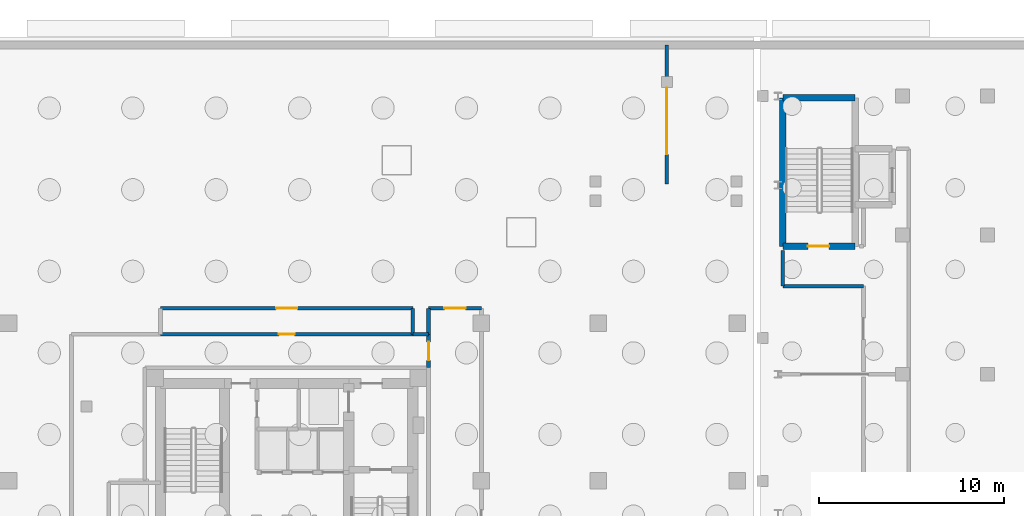
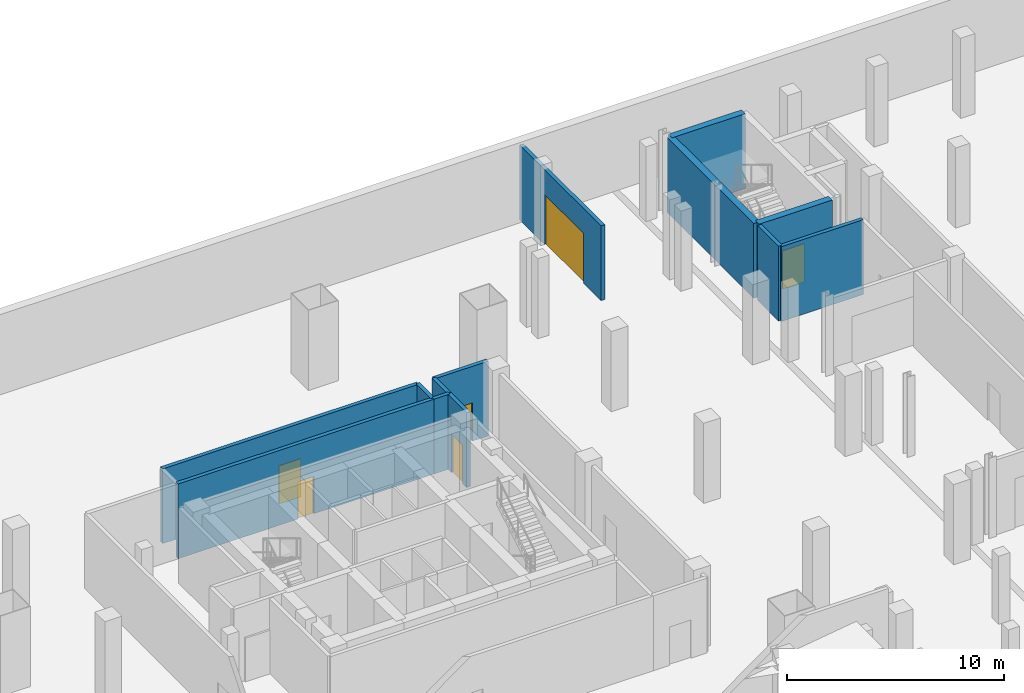
# One storey, part 9 of 15: 13 walls, 6 doors, 6 openings.
"""IFC4 building model written with IfcOpenShell, lengths in metres."""

import ifcopenshell
import ifcopenshell.guid

model = None  # the IFC model being written
_history = None  # IfcOwnerHistory: only IFC2X3 demands one
_inside = {}  # id of a spatial element -> (the spatial element, [elements in it])
_under = {}  # id of a project, library or spatial element -> (it, [spatial elements below it])
_declared = {}  # id of a project -> (the project, [libraries it declares])
_typed = {}  # id of a type object -> (the type object, [elements of that type])
_made_of = {}  # id of a material, layer set ... -> (it, [elements and type objects made of it])


def new_model(schema):
    """Start an empty IFC model of exactly this schema.

    Asked for "IFC4X3", IfcOpenShell would pick the latest addendum, in which some entities
    have other attributes; the version numbers below select the first issue.
    IFC2X3 requires an IfcOwnerHistory on every rooted entity: one is made here for all.
    """
    global model, _history
    if schema == "IFC4X3":
        model = ifcopenshell.file(schema_version=(4, 3, 0, 0))
    else:
        model = ifcopenshell.file(schema=schema)
    _inside.clear()
    _under.clear()
    _declared.clear()
    _typed.clear()
    _made_of.clear()
    _history = None
    if model.schema == "IFC2X3":
        org = make("IfcOrganization", Name="unknown")
        user = make(
            "IfcPersonAndOrganization",
            ThePerson=make("IfcPerson", FamilyName="unknown"),
            TheOrganization=org,
        )
        app = make(
            "IfcApplication",
            ApplicationDeveloper=org,
            Version="unknown",
            ApplicationFullName="unknown",
            ApplicationIdentifier="unknown",
        )
        _history = make(
            "IfcOwnerHistory",
            OwningUser=user,
            OwningApplication=app,
            ChangeAction="ADDED",
            CreationDate=0,
        )
    return model


def make(cls, **values):
    """One entity of the class cls with the attributes given. An attribute that is None is left unset."""
    return model.create_entity(
        cls, **{name: value for name, value in values.items() if value is not None}
    )


def rooted(cls, **values):
    """An entity with a GlobalId (a new one), such as an element, a storey or a relation."""
    return make(cls, GlobalId=ifcopenshell.guid.new(), OwnerHistory=_history, **values)


def si_unit(unit_type, name, prefix=None):
    """IfcSIUnit, for example si_unit("LENGTHUNIT", "METRE", prefix="MILLI")."""
    return make("IfcSIUnit", UnitType=unit_type, Prefix=prefix, Name=name)


def assignment(units):
    """IfcUnitAssignment: the units of a project."""
    return None if units is None else make("IfcUnitAssignment", Units=units)


def point(xyz):
    """IfcCartesianPoint."""
    return None if xyz is None else make("IfcCartesianPoint", Coordinates=xyz)


def direction(xyz):
    """IfcDirection."""
    return None if xyz is None else make("IfcDirection", DirectionRatios=xyz)


def frame(location, z_axis=None, x_axis=None):
    """IfcAxis2Placement3D, a coordinate frame: its origin and axes. An axis left out is left unset."""
    return make(
        "IfcAxis2Placement3D",
        Location=point(location),
        Axis=direction(z_axis),
        RefDirection=direction(x_axis),
    )


def frame_2d(location, x_axis=None):
    """IfcAxis2Placement2D, a coordinate frame in the plane: its origin and x axis."""
    return make(
        "IfcAxis2Placement2D", Location=point(location), RefDirection=direction(x_axis)
    )


def origin():
    """The frame at (0, 0, 0) with its axes left unset."""
    return frame((0.0, 0.0, 0.0))


def place(relative_to, where):
    """IfcLocalPlacement: puts the frame where relative to a parent placement (None: the world)."""
    return make(
        "IfcLocalPlacement", PlacementRelTo=relative_to, RelativePlacement=where
    )


def context(
    kind, dimensions, precision=None, world=None, true_north=None, identifier=None
):
    """IfcGeometricRepresentationContext, for example the 3D "Model" context."""
    return make(
        "IfcGeometricRepresentationContext",
        ContextIdentifier=identifier,
        ContextType=kind,
        CoordinateSpaceDimension=dimensions,
        Precision=precision,
        WorldCoordinateSystem=world,
        TrueNorth=true_north,
    )


def subcontext(parent, identifier, kind, view, scale=None):
    """IfcGeometricRepresentationSubContext, for example "Body" below "Model"."""
    return make(
        "IfcGeometricRepresentationSubContext",
        ContextIdentifier=identifier,
        ContextType=kind,
        ParentContext=parent,
        TargetScale=scale,
        TargetView=view,
    )


def project(units=None, contexts=None):
    """IfcProject with its units and contexts."""
    return rooted(
        "IfcProject",
        Name="project",
        RepresentationContexts=contexts,
        UnitsInContext=assignment(units),
    )


def spatial(cls, under=None, at=None, **own):
    """A site, building, storey or space (cls), placed at a placement, below another one or the project."""
    s = rooted(cls, ObjectPlacement=at, **own)
    if under is not None:
        _under.setdefault(under.id(), (under, []))[1].append(s)
    return s


def profile(cls, at=None, kind="AREA", **sizes):
    """A parametric profile (cls). Its sizes go by their IFC names, for example OverallWidth=200.0."""
    return make(cls, ProfileType=kind, Position=at, **sizes)


def rectangle(**sizes):
    """IfcRectangleProfileDef."""
    return profile("IfcRectangleProfileDef", **sizes)


def extrude(swept, where, along, depth):
    """IfcExtrudedAreaSolid: the profile swept, set in the frame where, extruded along a direction by depth."""
    return make(
        "IfcExtrudedAreaSolid",
        SweptArea=swept,
        Position=where,
        ExtrudedDirection=direction(along),
        Depth=depth,
    )


def shape(context_of_items, identifier, shape_type, items):
    """IfcShapeRepresentation: the items that make up one representation, for example the "Body"."""
    return make(
        "IfcShapeRepresentation",
        ContextOfItems=context_of_items,
        RepresentationIdentifier=identifier,
        RepresentationType=shape_type,
        Items=items,
    )


def material(Name=None, Category=None):
    """IfcMaterial."""
    return make("IfcMaterial", Name=Name, Category=Category)


def layer(
    of_material, thickness, ventilated=None, Name=None, Category=None, Priority=None
):
    """IfcMaterialLayer: one layer of a wall or slab, of a material (None: an air gap)."""
    return make(
        "IfcMaterialLayer",
        Material=of_material,
        LayerThickness=thickness,
        IsVentilated=ventilated,
        Name=Name,
        Category=Category,
        Priority=Priority,
    )


def layer_set(layers, Name=None):
    """IfcMaterialLayerSet."""
    return make("IfcMaterialLayerSet", MaterialLayers=layers, LayerSetName=Name)


def made_of(thing, what):
    """Note that an element or type object is made of a material, layer set ...; save() writes the relation."""
    if what is not None:
        _made_of.setdefault(what.id(), (what, []))[1].append(thing)
    return thing


def type_object(cls, material=None, **own):
    """A type object (cls), such as IfcWallType, which elements share."""
    return made_of(rooted(cls, **own), material)


def element(
    cls,
    number,
    at=None,
    inside=None,
    cuts=None,
    type_object=None,
    material=None,
    context=None,
    identifier="Body",
    shape_type=None,
    held_by="IfcProductDefinitionShape",
    body=None,
    shapes=None,
    **own,
):
    """One element of the class cls, such as IfcWall. Its Tag is "e" and its number.

    at: its placement. inside: the storey or other place that contains it. cuts: it is an
    opening in that element (IfcRelVoidsElement). A single representation is given by context,
    identifier, shape_type and body (its items); several are given by shapes. held_by: the class
    of the entity that holds the representations. save() writes the other relations.
    """
    e = rooted(cls, Tag="e%d" % number, ObjectPlacement=at, **own)
    if body is not None:
        shapes = [shape(context, identifier, shape_type, body)]
    if shapes is not None:
        e.Representation = make(held_by, Representations=shapes)
    if inside is not None:
        _inside.setdefault(inside.id(), (inside, []))[1].append(e)
    if cuts is not None:
        rooted(
            "IfcRelVoidsElement", RelatingBuildingElement=cuts, RelatedOpeningElement=e
        )
    if type_object is not None:
        _typed.setdefault(type_object.id(), (type_object, []))[1].append(e)
    return made_of(e, material)


def fill(opening, filler):
    """IfcRelFillsElement: the door or window that sits in an opening."""
    return rooted(
        "IfcRelFillsElement",
        RelatingOpeningElement=opening,
        RelatedBuildingElement=filler,
    )


def aggregate(whole, parts):
    """IfcRelAggregates: a whole, such as a stair, and the parts it consists of."""
    return rooted("IfcRelAggregates", RelatingObject=whole, RelatedObjects=parts)


def save(model, path):
    """Write the relations noted so far, then the file.

    IfcRelAggregates (storeys below a building ...), IfcRelContainedInSpatialStructure (elements
    in a storey), IfcRelDefinesByType, IfcRelAssociatesMaterial and IfcRelDeclares: one each for
    every whole, place, type object, material and project.
    """
    for whole, parts in _under.values():
        aggregate(whole, parts)
    for where, things in _inside.values():
        rooted(
            "IfcRelContainedInSpatialStructure",
            RelatedElements=things,
            RelatingStructure=where,
        )
    for kind, things in _typed.values():
        rooted("IfcRelDefinesByType", RelatedObjects=things, RelatingType=kind)
    for what, things in _made_of.values():
        rooted("IfcRelAssociatesMaterial", RelatedObjects=things, RelatingMaterial=what)
    for by, libraries in _declared.values():
        rooted("IfcRelDeclares", RelatingContext=by, RelatedDefinitions=libraries)
    model.write(path)


model = new_model("IFC4")

# Units and contexts
model_context = context("Model", 3, precision=1e-05, world=origin(), true_north=direction((0.0, 1.0)))
body_context = subcontext(model_context, "Body", "Model", "MODEL_VIEW")
ifc_project = project(units=[si_unit("LENGTHUNIT", "METRE"), si_unit("AREAUNIT", "SQUARE_METRE"), si_unit("VOLUMEUNIT", "CUBIC_METRE"), si_unit("PLANEANGLEUNIT", "RADIAN"), si_unit("MASSUNIT", "GRAM", prefix="KILO")], contexts=[model_context])

# Site, building, storey
site_placement = place(None, origin())
site = spatial("IfcSite", under=ifc_project, at=site_placement, CompositionType="ELEMENT")
building_placement = place(site_placement, origin())
building = spatial("IfcBuilding", under=site, at=building_placement, Name="Mersakhor Tower and Convention Hall", CompositionType="ELEMENT")
storey_placement = place(building_placement, frame((0.0, 0.0, -9.0)))
storey = spatial("IfcBuildingStorey", under=building, at=storey_placement, Name="B02", CompositionType="ELEMENT", Elevation=-9.0)

# Wall, opening, door
ifc_material_1 = material(Name="Acoustic concrete blockwork and gypsum board", Category="masonry")
ifc_layer_1 = layer(ifc_material_1, 0.199951171875)
ifc_layer_set_1 = layer_set([ifc_layer_1], Name="Acoustic concrete blockwork and gypsum board")
wall_type_1 = type_object("IfcWallType", Name="WL-PRT-200", PredefinedType="PARTITIONING", material=ifc_layer_set_1)
wall_1_placement = place(storey_placement, frame((49.5, 43.5, 0.0), z_axis=(0.0, 0.0, 1.0), x_axis=(0.0, 1.0, 0.0)))
wall_1 = element("IfcWall", 1, at=wall_1_placement, inside=storey, type_object=wall_type_1, Name="B02 Basement Fire Compartment Wall FG-1", PredefinedType="PARTITIONING", context=body_context, shape_type="SweptSolid", body=[
    extrude(rectangle(XDim=7.5, YDim=0.199951171875, at=frame_2d((3.75, 0.0))), origin(), (0.0, 0.0, 1.0), 4.199951171875),
])
opening_1_placement = place(wall_1_placement, frame((1.60009765625, 0.0, 0.0)))
opening_1 = element("IfcOpeningElement", 2, at=opening_1_placement, cuts=wall_1, Name="Opening GATE-03", PredefinedType="OPENING", context=body_context, shape_type="SweptSolid", body=[
    extrude(rectangle(XDim=3.60009765625, YDim=2.800048828125, at=frame_2d((1.800048828125, 1.39990234375))), frame((0.0, 0.10986328125, 0.0), z_axis=(0.0, -1.0, 0.0), x_axis=(1.0, 0.0, 0.0)), (0.0, 0.0, 1.0), 0.219970703125),
])
ifc_material_2 = material(Name="Thermally broken dark aluminium and safety glass", Category="aluminium")
door_type_1 = type_object("IfcDoorType", Name="DR-GATE-BSM-360x280", OperationType="NOTDEFINED", PredefinedType="GATE", material=ifc_material_2)
door_1_placement = place(opening_1_placement, origin())
door_1 = element("IfcDoor", 3, at=door_1_placement, inside=storey, type_object=door_type_1, Name="B02 Basement Compartment Fire Shutter Gate BG-1", OperationType="ROLLINGUP", OverallHeight=2.800048828125, OverallWidth=3.60009765625, PredefinedType="GATE", context=body_context, shape_type="SweptSolid", body=[
    extrude(rectangle(XDim=3.60009765625, YDim=2.800048828125, at=frame_2d((1.800048828125, 1.39990234375))), frame((0.0, 0.02490234375, 0.0), z_axis=(0.0, -1.0, 0.0), x_axis=(1.0, 0.0, 0.0)), (0.0, 0.0, 1.0), 0.050048828125),
])
fill(opening_1, door_1)

wall_2_placement = place(storey_placement, frame((22.199951171875, 35.39990234375, 0.0), z_axis=(0.0, 0.0, 1.0), x_axis=(1.0, 0.0, 0.0)))
wall_2 = element("IfcWall", 4, at=wall_2_placement, inside=storey, type_object=wall_type_1, Name="B02 Interior Partition Wall P-021", PredefinedType="PARTITIONING", context=body_context, shape_type="SweptSolid", body=[
    extrude(rectangle(XDim=13.60009765625, YDim=0.199951171875, at=frame_2d((6.800048828125, 0.0))), origin(), (0.0, 0.0, 1.0), 4.199951171875),
])
opening_2_placement = place(wall_2_placement, frame((6.375, 0.0, 0.0)))
opening_2 = element("IfcOpeningElement", 5, at=opening_2_placement, cuts=wall_2, Name="Opening SVD-01", PredefinedType="OPENING", context=body_context, shape_type="SweptSolid", body=[
    extrude(rectangle(XDim=0.85009765625, YDim=2.10009765625, at=frame_2d((0.425048828125, 1.050048828125))), frame((0.0, 0.10986328125, 0.0), z_axis=(0.0, -1.0, 0.0), x_axis=(1.0, 0.0, 0.0)), (0.0, 0.0, 1.0), 0.219970703125),
])
ifc_material_3 = material(Name="Fire-rated hardwood leaf and painted steel frame", Category="steel")
door_type_2 = type_object("IfcDoorType", Name="DR-INT-SVC-085x210", OperationType="NOTDEFINED", PredefinedType="DOOR", material=ifc_material_3)
door_2_placement = place(opening_2_placement, origin())
door_2 = element("IfcDoor", 6, at=door_2_placement, inside=storey, type_object=door_type_2, Name="B02 Basement Core Access Corridor West to Secure Resident Bicycle Storage Room Door", OperationType="SINGLE_SWING_LEFT", OverallHeight=2.10009765625, OverallWidth=0.85009765625, PredefinedType="DOOR", context=body_context, shape_type="SweptSolid", body=[
    extrude(rectangle(XDim=0.85009765625, YDim=2.10009765625, at=frame_2d((0.425048828125, 1.050048828125))), frame((0.0, 0.02490234375, 0.0), z_axis=(0.0, -1.0, 0.0), x_axis=(1.0, 0.0, 0.0)), (0.0, 0.0, 1.0), 0.050048828125),
])
fill(opening_2, door_2)

# Wall
wall_3_placement = place(storey_placement, frame((35.800048828125, 35.39990234375, 0.0), z_axis=(0.0, 0.0, 1.0), x_axis=(1.0, 0.0, 0.0)))
element("IfcWall", 7, at=wall_3_placement, inside=storey, type_object=wall_type_1, Name="B02 Interior Partition Wall P-022", PredefinedType="PARTITIONING", context=body_context, shape_type="SweptSolid", body=[
    extrude(rectangle(XDim=0.849853515625, YDim=0.199951171875, at=frame_2d((0.4248046875, 0.0))), origin(), (0.0, 0.0, 1.0), 4.199951171875),
])

# Wall, opening, door
wall_4_placement = place(storey_placement, frame((36.64990234375, 35.39990234375, 0.0), z_axis=(0.0, 0.0, 1.0), x_axis=(0.0, -1.0, 0.0)))
wall_4 = element("IfcWall", 8, at=wall_4_placement, inside=storey, type_object=wall_type_1, Name="B02 Interior Partition Wall P-023", PredefinedType="PARTITIONING", context=body_context, shape_type="SweptSolid", body=[
    extrude(rectangle(XDim=1.7998046875, YDim=0.199951171875, at=frame_2d((0.89990234375, 0.0))), origin(), (0.0, 0.0, 1.0), 4.199951171875),
])
opening_3_placement = place(wall_4_placement, frame((0.39990234375, 0.0, 0.0)))
opening_3 = element("IfcOpeningElement", 9, at=opening_3_placement, cuts=wall_4, Name="Opening FD-01", PredefinedType="OPENING", context=body_context, shape_type="SweptSolid", body=[
    extrude(rectangle(XDim=1.0, YDim=2.14990234375, at=frame_2d((0.5, 1.074951171875))), frame((0.0, 0.10986328125, 0.0), z_axis=(0.0, -1.0, 0.0), x_axis=(1.0, 0.0, 0.0)), (0.0, 0.0, 1.0), 0.219970703125),
])
ifc_material_4 = material(Name="Fire-rated hardwood leaf and painted steel frame", Category="steel")
door_type_3 = type_object("IfcDoorType", Name="DR-INT-FLT-100x215", OperationType="NOTDEFINED", PredefinedType="DOOR", material=ifc_material_4)
door_3_placement = place(opening_3_placement, origin())
door_3 = element("IfcDoor", 10, at=door_3_placement, inside=storey, type_object=door_type_3, Name="B02 Ring Corridor Fire Door", OperationType="SINGLE_SWING_RIGHT", OverallHeight=2.14990234375, OverallWidth=1.0, PredefinedType="DOOR", context=body_context, shape_type="SweptSolid", body=[
    extrude(rectangle(XDim=1.0, YDim=2.14990234375, at=frame_2d((0.5, 1.074951171875))), frame((0.0, 0.02490234375, 0.0), z_axis=(0.0, -1.0, 0.0), x_axis=(1.0, 0.0, 0.0)), (0.0, 0.0, 1.0), 0.050048828125),
])
fill(opening_3, door_3)

# Wall
wall_5_placement = place(storey_placement, frame((36.64990234375, 35.39990234375, 0.0), z_axis=(0.0, 0.0, 1.0), x_axis=(0.0, 1.0, 0.0)))
element("IfcWall", 11, at=wall_5_placement, inside=storey, type_object=wall_type_1, Name="B02 Interior Partition Wall P-033", PredefinedType="PARTITIONING", context=body_context, shape_type="SweptSolid", body=[
    extrude(rectangle(XDim=1.400146484375, YDim=0.199951171875, at=frame_2d((0.7001953125, 0.0))), origin(), (0.0, 0.0, 1.0), 4.199951171875),
])

# Wall, opening, door
wall_6_placement = place(storey_placement, frame((36.64990234375, 36.800048828125, 0.0), z_axis=(0.0, 0.0, 1.0), x_axis=(1.0, 0.0, 0.0)))
wall_6 = element("IfcWall", 12, at=wall_6_placement, inside=storey, type_object=wall_type_1, Name="B02 Interior Partition Wall P-034", PredefinedType="PARTITIONING", context=body_context, shape_type="SweptSolid", body=[
    extrude(rectangle(XDim=2.85009765625, YDim=0.199951171875, at=frame_2d((1.425048828125, 0.0))), origin(), (0.0, 0.0, 1.0), 4.199951171875),
])
opening_4_placement = place(wall_6_placement, frame((0.85009765625, 0.0, 0.0)))
opening_4 = element("IfcOpeningElement", 13, at=opening_4_placement, cuts=wall_6, Name="Opening SD-01", PredefinedType="OPENING", context=body_context, shape_type="SweptSolid", body=[
    extrude(rectangle(XDim=1.14990234375, YDim=2.14990234375, at=frame_2d((0.574951171875, 1.074951171875))), frame((0.0, 0.10986328125, 0.0), z_axis=(0.0, -1.0, 0.0), x_axis=(1.0, 0.0, 0.0)), (0.0, 0.0, 1.0), 0.219970703125),
])
ifc_material_5 = material(Name="Fire-rated hardwood leaf and painted steel frame", Category="steel")
door_type_4 = type_object("IfcDoorType", Name="DR-INT-STAIR-115x215", OperationType="NOTDEFINED", PredefinedType="DOOR", material=ifc_material_5)
door_4_placement = place(opening_4_placement, origin())
door_4 = element("IfcDoor", 14, at=door_4_placement, inside=storey, type_object=door_type_4, Name="B02 Basement Core Access Corridor East to Two-Way Basement Drive Aisle AISLE-N Door", OperationType="SINGLE_SWING_RIGHT", OverallHeight=2.14990234375, OverallWidth=1.14990234375, PredefinedType="DOOR", context=body_context, shape_type="SweptSolid", body=[
    extrude(rectangle(XDim=1.14990234375, YDim=2.14990234375, at=frame_2d((0.574951171875, 1.074951171875))), frame((0.0, 0.02490234375, 0.0), z_axis=(0.0, -1.0, 0.0), x_axis=(1.0, 0.0, 0.0)), (0.0, 0.0, 1.0), 0.050048828125),
])
fill(opening_4, door_4)

# Walls
wall_7_placement = place(storey_placement, frame((60.10009765625, 38.0, 0.0), z_axis=(0.0, 0.0, 1.0), x_axis=(-1.0, 0.0, 0.0)))
element("IfcWall", 15, at=wall_7_placement, inside=storey, type_object=wall_type_1, Name="B02 Interior Partition Wall P-035", PredefinedType="PARTITIONING", context=body_context, shape_type="SweptSolid", body=[
    extrude(rectangle(XDim=4.35009765625, YDim=0.199951171875, at=frame_2d((2.175048828125, 0.0))), origin(), (0.0, 0.0, 1.0), 4.199951171875),
])
wall_8_placement = place(storey_placement, frame((55.75, 38.0, 0.0), z_axis=(0.0, 0.0, 1.0), x_axis=(0.0, 1.0, 0.0)))
element("IfcWall", 16, at=wall_8_placement, inside=storey, type_object=wall_type_1, Name="B02 Interior Partition Wall P-036", PredefinedType="PARTITIONING", context=body_context, shape_type="SweptSolid", body=[
    extrude(rectangle(XDim=1.925048828125, YDim=0.199951171875, at=frame_2d((0.96240234375, 0.0))), origin(), (0.0, 0.0, 1.0), 4.199951171875),
])

# Wall, opening, door
wall_9_placement = place(storey_placement, frame((22.199951171875, 36.800048828125, 0.0), z_axis=(0.0, 0.0, 1.0), x_axis=(1.0, 0.0, 0.0)))
wall_9 = element("IfcWall", 17, at=wall_9_placement, inside=storey, type_object=wall_type_1, Name="B02 Interior Partition Wall P-065", PredefinedType="PARTITIONING", context=body_context, shape_type="SweptSolid", body=[
    extrude(rectangle(XDim=13.60009765625, YDim=0.199951171875, at=frame_2d((6.800048828125, 0.0))), origin(), (0.0, 0.0, 1.0), 4.199951171875),
])
opening_5_placement = place(wall_9_placement, frame((6.22509765625, 0.0, 0.0)))
opening_5 = element("IfcOpeningElement", 18, at=opening_5_placement, cuts=wall_9, Name="Opening SD-01", PredefinedType="OPENING", context=body_context, shape_type="SweptSolid", body=[
    extrude(rectangle(XDim=1.14990234375, YDim=2.14990234375, at=frame_2d((0.574951171875, 1.074951171875))), frame((0.0, 0.10986328125, 0.0), z_axis=(0.0, -1.0, 0.0), x_axis=(1.0, 0.0, 0.0)), (0.0, 0.0, 1.0), 0.219970703125),
])
door_5_placement = place(opening_5_placement, origin())
door_5 = element("IfcDoor", 19, at=door_5_placement, inside=storey, type_object=door_type_4, Name="B02 Two-Way Basement Drive Aisle AISLE-N to Secure Resident Bicycle Storage Room Door", OperationType="SINGLE_SWING_LEFT", OverallHeight=2.14990234375, OverallWidth=1.14990234375, PredefinedType="DOOR", context=body_context, shape_type="SweptSolid", body=[
    extrude(rectangle(XDim=1.14990234375, YDim=2.14990234375, at=frame_2d((0.574951171875, 1.074951171875))), frame((0.0, 0.02490234375, 0.0), z_axis=(0.0, -1.0, 0.0), x_axis=(1.0, 0.0, 0.0)), (0.0, 0.0, 1.0), 0.050048828125),
])
fill(opening_5, door_5)

# Walls
wall_10_placement = place(storey_placement, frame((35.800048828125, 36.800048828125, 0.0), z_axis=(0.0, 0.0, 1.0), x_axis=(0.0, -1.0, 0.0)))
element("IfcWall", 20, at=wall_10_placement, inside=storey, type_object=wall_type_1, Name="B02 Interior Partition Wall P-066", PredefinedType="PARTITIONING", context=body_context, shape_type="SweptSolid", body=[
    extrude(rectangle(XDim=1.400146484375, YDim=0.199951171875, at=frame_2d((0.7001953125, 0.0))), origin(), (0.0, 0.0, 1.0), 4.199951171875),
])
ifc_material_6 = material(Name="Concrete C50/60", Category="concrete")
ifc_layer_2 = layer(ifc_material_6, 0.35009765625)
ifc_layer_set_2 = layer_set([ifc_layer_2], Name="Concrete C50/60")
wall_type_2 = type_object("IfcWallType", Name="WL-SHR-350", PredefinedType="SHEAR", material=ifc_layer_set_2)
wall_11_placement = place(storey_placement, frame((55.75, 40.14990234375, 0.0), z_axis=(0.0, 0.0, 1.0), x_axis=(0.0, 1.0, 0.0)))
element("IfcWall", 21, at=wall_11_placement, inside=storey, type_object=wall_type_2, Name="B02 CHST2 West Shear Wall", PredefinedType="SHEAR", context=body_context, shape_type="SweptSolid", body=[
    extrude(rectangle(XDim=8.0, YDim=0.35009765625, at=frame_2d((4.0, 0.0))), origin(), (0.0, 0.0, 1.0), 4.199951171875),
])
wall_12_placement = place(storey_placement, frame((55.75, 48.14990234375, 0.0), z_axis=(0.0, 0.0, 1.0), x_axis=(1.0, 0.0, 0.0)))
element("IfcWall", 22, at=wall_12_placement, inside=storey, type_object=wall_type_2, Name="B02 CHST2 North Shear Wall", PredefinedType="SHEAR", context=body_context, shape_type="SweptSolid", body=[
    extrude(rectangle(XDim=3.89990234375, YDim=0.35009765625, at=frame_2d((1.949951171875, 0.0))), origin(), (0.0, 0.0, 1.0), 4.199951171875),
])

# Wall, opening, door
wall_13_placement = place(storey_placement, frame((55.75, 40.14990234375, 0.0), z_axis=(0.0, 0.0, 1.0), x_axis=(1.0, 0.0, 0.0)))
wall_13 = element("IfcWall", 23, at=wall_13_placement, inside=storey, type_object=wall_type_2, Name="B02 CHST2 South Shear Wall", PredefinedType="SHEAR", context=body_context, shape_type="SweptSolid", body=[
    extrude(rectangle(XDim=3.89990234375, YDim=0.35009765625, at=frame_2d((1.949951171875, 0.0))), origin(), (0.0, 0.0, 1.0), 4.199951171875),
])
opening_6_placement = place(wall_13_placement, frame((1.35009765625, 0.0, 0.0)))
opening_6 = element("IfcOpeningElement", 24, at=opening_6_placement, cuts=wall_13, Name="Opening SD-01", PredefinedType="OPENING", context=body_context, shape_type="SweptSolid", body=[
    extrude(rectangle(XDim=1.14990234375, YDim=2.14990234375, at=frame_2d((0.574951171875, 1.074951171875))), frame((0.0, 0.18505859375, 0.0), z_axis=(0.0, -1.0, 0.0), x_axis=(1.0, 0.0, 0.0)), (0.0, 0.0, 1.0), 0.3701171875),
])
door_6_placement = place(opening_6_placement, origin())
door_6 = element("IfcDoor", 25, at=door_6_placement, inside=storey, type_object=door_type_4, Name="B02 Convention Stair CH-ST2 Door", OperationType="SINGLE_SWING_RIGHT", OverallHeight=2.14990234375, OverallWidth=1.14990234375, PredefinedType="DOOR", context=body_context, shape_type="SweptSolid", body=[
    extrude(rectangle(XDim=1.14990234375, YDim=2.14990234375, at=frame_2d((0.574951171875, 1.074951171875))), frame((0.0, 0.02490234375, 0.0), z_axis=(0.0, -1.0, 0.0), x_axis=(1.0, 0.0, 0.0)), (0.0, 0.0, 1.0), 0.050048828125),
])
fill(opening_6, door_6)

save(model, "model.ifc")
